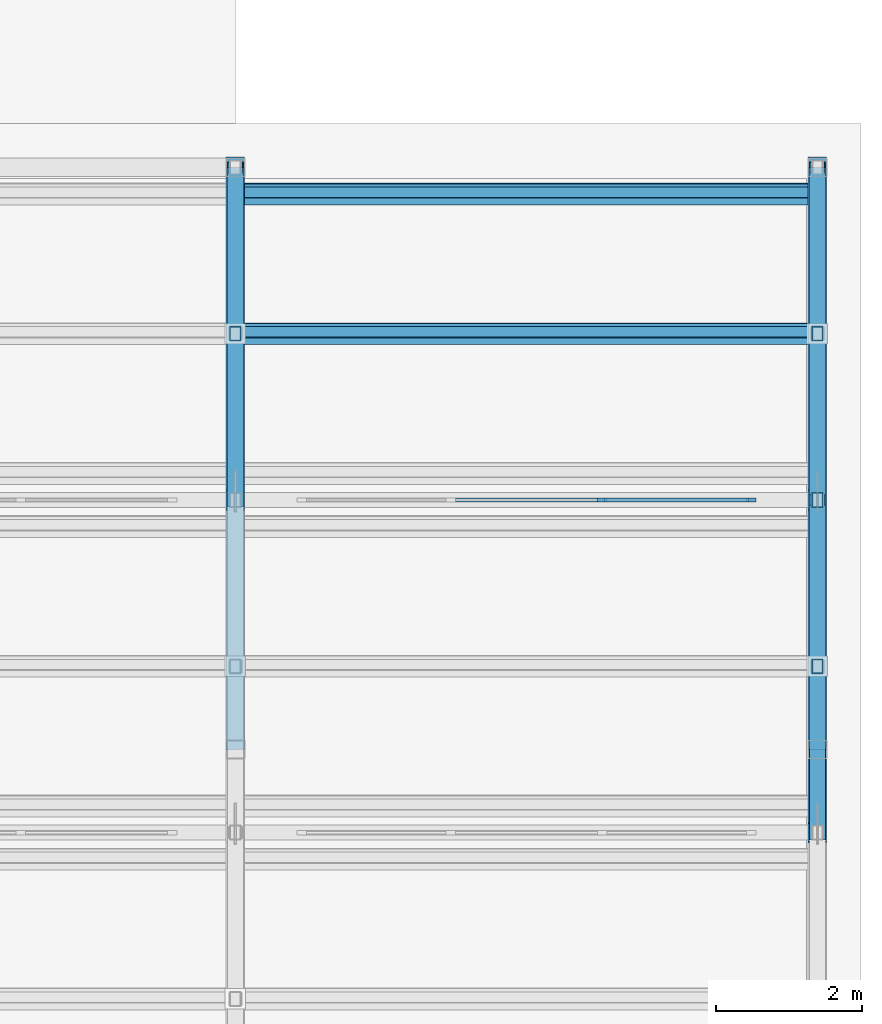
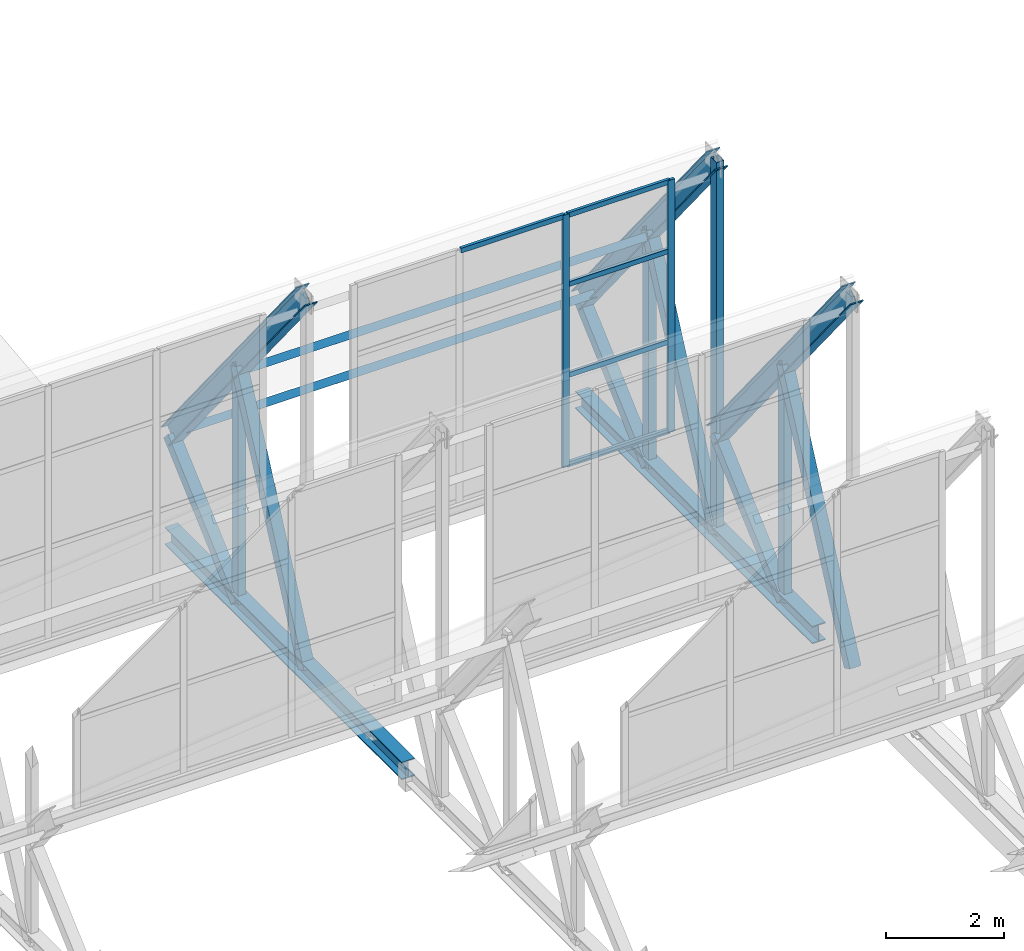
# One storey, part 22 of 34: 22 members, 2 beams, 1 element without a shape of its own.
"""IFC4 building model written with IfcOpenShell, lengths in metres."""

from ifc_helpers import new_model, si_unit, direction, frame, origin, origin_2d, place, context, subcontext, project, spatial, rectangle, hollow_rectangle, i_section, extrude, material, layer, layer_set, material_profile, profile_set, type_object, element, aggregate, save


model = new_model("IFC4")

# Units and contexts
model_context = context("Model", 3, precision=1e-05, world=origin(), true_north=direction((0.0, 1.0)))
body_context = subcontext(model_context, "Body", "Model", "MODEL_VIEW")
ifc_project = project(units=[si_unit("LENGTHUNIT", "METRE"), si_unit("AREAUNIT", "SQUARE_METRE"), si_unit("VOLUMEUNIT", "CUBIC_METRE"), si_unit("PLANEANGLEUNIT", "RADIAN"), si_unit("MASSUNIT", "GRAM", prefix="KILO")], contexts=[model_context])

# Site, building, storey
site_placement = place(None, origin())
site = spatial("IfcSite", under=ifc_project, at=site_placement, CompositionType="ELEMENT")
building_placement = place(site_placement, origin())
building = spatial("IfcBuilding", under=site, at=building_placement, Name="Qorikala Patio Media Centre", CompositionType="ELEMENT")
storey_placement = place(building_placement, frame((0.0, 0.0, 32.699951171875)))
storey = spatial("IfcBuildingStorey", under=building, at=storey_placement, Name="RF", CompositionType="ELEMENT", Elevation=32.699951171875)

# Members
ifc_material_1 = material(Name="Steel S355", Category="steel")
ifc_material_profile_1 = material_profile(ifc_material_1, hollow_rectangle(XDim=0.219970703125, YDim=0.219970703125, WallThickness=0.010009765625, at=origin_2d()), Name="HSS220X220X10")
ifc_profile_set_1 = profile_set([ifc_material_profile_1], Name="Steel S355")
member_type_1 = type_object("IfcMemberType", Name="BRACE-HSS220", PredefinedType="BRACE", material=ifc_profile_set_1)
member_1_placement = place(storey_placement, frame((35.0, 30.4287109375, 0.35009765625), z_axis=(0.0, 0.424508225487, 0.905424081022), x_axis=(-1.0, 0.0, 0.0)))
element("IfcMember", 1, at=member_1_placement, inside=storey, type_object=member_type_1, Name="SAW-V1 Truss 5 Bay 7 Web Diagonal 1", PredefinedType="BRACE", context=body_context, shape_type="SweptSolid", body=[
    extrude(hollow_rectangle(XDim=0.219970703125, YDim=0.219970703125, WallThickness=0.010009765625, at=origin_2d()), origin(), (0.0, 0.0, 1.0), 5.38427734375),
])
member_2_placement = place(storey_placement, frame((35.0, 32.71435546875, 0.35009765625), z_axis=(0.0, 0.744431778243, 0.667698530432), x_axis=(-1.0, 0.0, 0.0)))
element("IfcMember", 2, at=member_2_placement, inside=storey, type_object=member_type_1, Name="SAW-V1 Truss 5 Bay 7 Web Diagonal 2", PredefinedType="BRACE", context=body_context, shape_type="SweptSolid", body=[
    extrude(hollow_rectangle(XDim=0.219970703125, YDim=0.219970703125, WallThickness=0.010009765625, at=origin_2d()), origin(), (0.0, 0.0, 1.0), 3.0703125),
])
member_3_placement = place(storey_placement, frame((43.0, 25.857177734375, 0.35009765625), z_axis=(0.0, 0.424508225487, 0.905424081022), x_axis=(-1.0, 0.0, 0.0)))
element("IfcMember", 3, at=member_3_placement, inside=storey, type_object=member_type_1, Name="SAW-V1 Truss 6 Bay 6 Web Diagonal 1", PredefinedType="BRACE", context=body_context, shape_type="SweptSolid", body=[
    extrude(hollow_rectangle(XDim=0.219970703125, YDim=0.219970703125, WallThickness=0.010009765625, at=origin_2d()), origin(), (0.0, 0.0, 1.0), 5.38427734375),
])
member_4_placement = place(storey_placement, frame((43.0, 28.142822265625, 0.35009765625), z_axis=(0.0, 0.744431778243, 0.667698530432), x_axis=(-1.0, 0.0, 0.0)))
element("IfcMember", 4, at=member_4_placement, inside=storey, type_object=member_type_1, Name="SAW-V1 Truss 6 Bay 6 Web Diagonal 2", PredefinedType="BRACE", context=body_context, shape_type="SweptSolid", body=[
    extrude(hollow_rectangle(XDim=0.219970703125, YDim=0.219970703125, WallThickness=0.010009765625, at=origin_2d()), origin(), (0.0, 0.0, 1.0), 3.0703125),
])
member_5_placement = place(storey_placement, frame((43.0, 30.4287109375, 0.35009765625), z_axis=(0.0, 0.424508225487, 0.905424081022), x_axis=(-1.0, 0.0, 0.0)))
element("IfcMember", 5, at=member_5_placement, inside=storey, type_object=member_type_1, Name="SAW-V1 Truss 6 Bay 7 Web Diagonal 1", PredefinedType="BRACE", context=body_context, shape_type="SweptSolid", body=[
    extrude(hollow_rectangle(XDim=0.219970703125, YDim=0.219970703125, WallThickness=0.010009765625, at=origin_2d()), origin(), (0.0, 0.0, 1.0), 5.38427734375),
])
member_6_placement = place(storey_placement, frame((43.0, 32.71435546875, 0.35009765625), z_axis=(0.0, 0.744431778243, 0.667698530432), x_axis=(-1.0, 0.0, 0.0)))
element("IfcMember", 6, at=member_6_placement, inside=storey, type_object=member_type_1, Name="SAW-V1 Truss 6 Bay 7 Web Diagonal 2", PredefinedType="BRACE", context=body_context, shape_type="SweptSolid", body=[
    extrude(hollow_rectangle(XDim=0.219970703125, YDim=0.219970703125, WallThickness=0.010009765625, at=origin_2d()), origin(), (0.0, 0.0, 1.0), 3.0703125),
])
ifc_material_profile_2 = material_profile(ifc_material_1, i_section(OverallWidth=0.257080078125, OverallDepth=0.363037109375, WebThickness=0.012939453125, FlangeThickness=0.021728515625, at=origin_2d()), Name="W360X122")
ifc_profile_set_2 = profile_set([ifc_material_profile_2], Name="Steel S355")
member_type_2 = type_object("IfcMemberType", Name="CHORD-W360X122", PredefinedType="CHORD", material=ifc_profile_set_2)
for number, where, z_axis, x_axis, name in (
    (7, (35.0, 30.4287109375, 8.050048828125), (0.0, 0.628995268707, -0.777409127773), (-1.0, 0.0, 0.0), "SAW-V1 Truss 5 Bay 7 Sloped Top Chord"),
    (8, (43.0, 25.857177734375, 8.050048828125), (0.0, 0.628995268707, -0.777409127773), (-1.0, 0.0, 0.0), "SAW-V1 Truss 6 Bay 6 Sloped Top Chord"),
    (9, (43.0, 30.4287109375, 8.050048828125), (0.0, 0.628995268707, -0.777409127773), (-1.0, 0.0, 0.0), "SAW-V1 Truss 6 Bay 7 Sloped Top Chord"),
):
    element("IfcMember", number, at=place(storey_placement, frame(where, z_axis=z_axis, x_axis=x_axis)), inside=storey, type_object=member_type_2, Name=name, PredefinedType="CHORD", context=body_context, shape_type="SweptSolid", body=[
        extrude(i_section(OverallWidth=0.257080078125, OverallDepth=0.363037109375, WebThickness=0.012939453125, FlangeThickness=0.021728515625, at=origin_2d()), origin(), (0.0, 0.0, 1.0), 7.267578125),
    ])

# Curtain wall, members
ifc_material_2 = material(Name="Bronze Anodised Aluminium and Low-E Glass", Category="aluminium")
ifc_layer = layer(ifc_material_2, 0.159912109375)
ifc_layer_set = layer_set([ifc_layer], Name="Bronze Anodised Aluminium and Low-E Glass")
curtain_wall_type = type_object("IfcCurtainWallType", Name="CW-SAW-624X520", PredefinedType="USERDEFINED", material=ifc_layer_set)
curtain_wall_placement = place(storey_placement, origin())
curtain_wall = element("IfcCurtainWall", 10, at=curtain_wall_placement, inside=storey, type_object=curtain_wall_type, Name="RF Sawtooth Glazing 141", ObjectType="SAWTOOTH GLAZING", PredefinedType="USERDEFINED")
ifc_material_3 = material(Name="Bronze Anodised Aluminium", Category="aluminium")
ifc_material_profile_3 = material_profile(ifc_material_3, rectangle(XDim=0.06005859375, YDim=0.1298828125, at=origin_2d()), Name="ALU MULLION 60x130")
ifc_profile_set_3 = profile_set([ifc_material_profile_3], Name="Bronze Anodised Aluminium")
member_type_3 = type_object("IfcMemberType", Name="CWM-60X130", PredefinedType="MULLION", material=ifc_profile_set_3)
member_7_placement = place(storey_placement, frame((40.0400390625, 30.4287109375, 2.75), z_axis=(0.0, 0.0, 1.0), x_axis=(0.0, 1.0, 0.0)))
member_7 = element("IfcMember", 11, at=member_7_placement, type_object=member_type_3, Name="CWS624520 mullion 3", PredefinedType="MULLION", context=body_context, shape_type="SweptSolid", body=[
    extrude(rectangle(XDim=0.06005859375, YDim=0.1298828125, at=origin_2d()), origin(), (0.0, 0.0, 1.0), 5.199951171875),
])
member_8_placement = place(storey_placement, frame((42.090087890625, 30.4287109375, 2.75), z_axis=(0.0, 0.0, 1.0), x_axis=(0.0, 1.0, 0.0)))
member_8 = element("IfcMember", 12, at=member_8_placement, type_object=member_type_3, Name="CWS624520 mullion 4", PredefinedType="MULLION", context=body_context, shape_type="SweptSolid", body=[
    extrude(rectangle(XDim=0.06005859375, YDim=0.1298828125, at=origin_2d()), origin(), (0.0, 0.0, 1.0), 5.199951171875),
])
ifc_material_profile_4 = material_profile(ifc_material_3, rectangle(XDim=0.06005859375, YDim=0.10009765625, at=origin_2d()), Name="ALU TRANSOM 60x100")
ifc_profile_set_4 = profile_set([ifc_material_profile_4], Name="Bronze Anodised Aluminium")
member_type_4 = type_object("IfcMemberType", Name="CWT-60X100", PredefinedType="USERDEFINED", material=ifc_profile_set_4)
member_9_placement = place(storey_placement, frame((37.989990234375, 30.4287109375, 7.920166015625), z_axis=(1.0, 0.0, 0.0), x_axis=(0.0, 1.0, 0.0)))
member_9 = element("IfcMember", 13, at=member_9_placement, type_object=member_type_4, Name="CWS624520 transom 2.4", ObjectType="TRANSOM", PredefinedType="USERDEFINED", context=body_context, shape_type="SweptSolid", body=[
    extrude(rectangle(XDim=0.06005859375, YDim=0.10009765625, at=origin_2d()), origin(), (0.0, 0.0, 1.0), 2.02001953125),
])
member_10_placement = place(storey_placement, frame((40.070068359375, 30.4287109375, 2.780029296875), z_axis=(1.0, 0.0, 0.0), x_axis=(0.0, 1.0, 0.0)))
member_10 = element("IfcMember", 14, at=member_10_placement, type_object=member_type_4, Name="CWS624520 transom 3.1", ObjectType="TRANSOM", PredefinedType="USERDEFINED", context=body_context, shape_type="SweptSolid", body=[
    extrude(rectangle(XDim=0.06005859375, YDim=0.10009765625, at=origin_2d()), origin(), (0.0, 0.0, 1.0), 1.989990234375),
])
member_11_placement = place(storey_placement, frame((40.070068359375, 30.4287109375, 4.6220703125), z_axis=(1.0, 0.0, 0.0), x_axis=(0.0, 1.0, 0.0)))
member_11 = element("IfcMember", 15, at=member_11_placement, type_object=member_type_4, Name="CWS624520 transom 3.2", ObjectType="TRANSOM", PredefinedType="USERDEFINED", context=body_context, shape_type="SweptSolid", body=[
    extrude(rectangle(XDim=0.06005859375, YDim=0.10009765625, at=origin_2d()), origin(), (0.0, 0.0, 1.0), 1.989990234375),
])
member_12_placement = place(storey_placement, frame((40.070068359375, 30.4287109375, 6.494140625), z_axis=(1.0, 0.0, 0.0), x_axis=(0.0, 1.0, 0.0)))
member_12 = element("IfcMember", 16, at=member_12_placement, type_object=member_type_4, Name="CWS624520 transom 3.3", ObjectType="TRANSOM", PredefinedType="USERDEFINED", context=body_context, shape_type="SweptSolid", body=[
    extrude(rectangle(XDim=0.06005859375, YDim=0.10009765625, at=origin_2d()), origin(), (0.0, 0.0, 1.0), 1.989990234375),
])
member_13_placement = place(storey_placement, frame((40.070068359375, 30.4287109375, 7.920166015625), z_axis=(1.0, 0.0, 0.0), x_axis=(0.0, 1.0, 0.0)))
member_13 = element("IfcMember", 17, at=member_13_placement, type_object=member_type_4, Name="CWS624520 transom 3.4", ObjectType="TRANSOM", PredefinedType="USERDEFINED", context=body_context, shape_type="SweptSolid", body=[
    extrude(rectangle(XDim=0.06005859375, YDim=0.10009765625, at=origin_2d()), origin(), (0.0, 0.0, 1.0), 1.989990234375),
])
aggregate(curtain_wall, [member_7, member_8, member_9, member_10, member_11, member_12, member_13])

# Members
ifc_material_profile_5 = material_profile(ifc_material_1, i_section(OverallWidth=0.14794921875, OverallDepth=0.26611328125, WebThickness=0.007568359375, FlangeThickness=0.012939453125, at=origin_2d()), Name="W250X45")
ifc_profile_set_5 = profile_set([ifc_material_profile_5], Name="Steel S355")
member_type_5 = type_object("IfcMemberType", Name="PURLIN-W250X45", PredefinedType="PURLIN", material=ifc_profile_set_5)
for number, where, z_axis, x_axis, name in (
    (18, (35.0, 32.71435546875, 5.077392578125), (1.0, 0.0, 0.0), (0.0, 0.62899480571, 0.777409502379), "SAW-V1 Bay 7 Roof Purlin"),
    (19, (35.0, 34.63427734375, 2.704345703125), (1.0, 0.0, 0.0), (0.0, 0.62899480571, 0.777409502379), "SAW-V1 Bay 7 Roof Purlin"),
):
    element("IfcMember", number, at=place(storey_placement, frame(where, z_axis=z_axis, x_axis=x_axis)), inside=storey, type_object=member_type_5, Name=name, PredefinedType="PURLIN", context=body_context, shape_type="SweptSolid", body=[
        extrude(i_section(OverallWidth=0.14794921875, OverallDepth=0.26611328125, WebThickness=0.007568359375, FlangeThickness=0.012939453125, at=origin_2d()), origin(), (0.0, 0.0, 1.0), 8.0),
    ])

# Beams
ifc_material_profile_6 = material_profile(ifc_material_1, i_section(OverallWidth=0.257080078125, OverallDepth=0.363037109375, WebThickness=0.012939453125, FlangeThickness=0.021728515625, at=origin_2d()), Name="W360X122")
ifc_profile_set_6 = profile_set([ifc_material_profile_6], Name="Steel S355")
beam_type = type_object("IfcBeamType", Name="SBM-W360X122", PredefinedType="BEAM", material=ifc_profile_set_6)
for number, where, z_axis, x_axis, name in (
    (20, (35.0, 27.0, 0.35009765625), (0.0, 1.0, 0.0), (-1.0, 0.0, 0.0), "SAW-V1 Longitudinal Truss Tie Girder X=35"),
    (21, (43.0, 27.0, 0.35009765625), (0.0, 1.0, 0.0), (-1.0, 0.0, 0.0), "SAW-V1 Longitudinal Truss Tie Girder X=43"),
):
    element("IfcBeam", number, at=place(storey_placement, frame(where, z_axis=z_axis, x_axis=x_axis)), inside=storey, type_object=beam_type, Name=name, PredefinedType="BEAM", context=body_context, shape_type="SweptSolid", body=[
        extrude(i_section(OverallWidth=0.257080078125, OverallDepth=0.363037109375, WebThickness=0.012939453125, FlangeThickness=0.021728515625, at=origin_2d()), origin(), (0.0, 0.0, 1.0), 8.0),
    ])

# Members
ifc_material_profile_7 = material_profile(ifc_material_1, hollow_rectangle(XDim=0.14990234375, YDim=0.199951171875, WallThickness=0.008056640625, at=origin_2d()), Name="HSS200X150X8")
ifc_profile_set_7 = profile_set([ifc_material_profile_7], Name="Steel S355")
member_type_6 = type_object("IfcMemberType", Name="STRUT-HSS200", PredefinedType="STRUT", material=ifc_profile_set_7)
for number, where, z_axis, x_axis, name in (
    (22, (35.0, 32.71435546875, 0.35009765625), (0.0, 0.0, 1.0), (1.0, 0.0, 0.0), "SAW-V1 Truss 5 Bay 7 Mid Strut"),
    (23, (43.0, 28.142822265625, 0.35009765625), (0.0, 0.0, 1.0), (1.0, 0.0, 0.0), "SAW-V1 Truss 6 Bay 6 Mid Strut"),
):
    element("IfcMember", number, at=place(storey_placement, frame(where, z_axis=z_axis, x_axis=x_axis)), inside=storey, type_object=member_type_6, Name=name, PredefinedType="STRUT", context=body_context, shape_type="SweptSolid", body=[
        extrude(hollow_rectangle(XDim=0.14990234375, YDim=0.199951171875, WallThickness=0.008056640625, at=origin_2d()), origin(), (0.0, 0.0, 1.0), 4.875),
    ])
member_14_placement = place(storey_placement, frame((43.0, 30.4287109375, 0.35009765625), z_axis=(0.0, 0.0, 1.0), x_axis=(1.0, 0.0, 0.0)))
element("IfcMember", 24, at=member_14_placement, inside=storey, type_object=member_type_6, Name="SAW-V1 Truss 6 Bay 7 Clerestory Post", PredefinedType="STRUT", context=body_context, shape_type="SweptSolid", body=[
    extrude(hollow_rectangle(XDim=0.14990234375, YDim=0.199951171875, WallThickness=0.008056640625, at=origin_2d()), origin(), (0.0, 0.0, 1.0), 7.699951171875),
])
member_15_placement = place(storey_placement, frame((43.0, 32.71435546875, 0.35009765625), z_axis=(0.0, 0.0, 1.0), x_axis=(1.0, 0.0, 0.0)))
element("IfcMember", 25, at=member_15_placement, inside=storey, type_object=member_type_6, Name="SAW-V1 Truss 6 Bay 7 Mid Strut", PredefinedType="STRUT", context=body_context, shape_type="SweptSolid", body=[
    extrude(hollow_rectangle(XDim=0.14990234375, YDim=0.199951171875, WallThickness=0.008056640625, at=origin_2d()), origin(), (0.0, 0.0, 1.0), 4.875),
])

save(model, "model.ifc")
